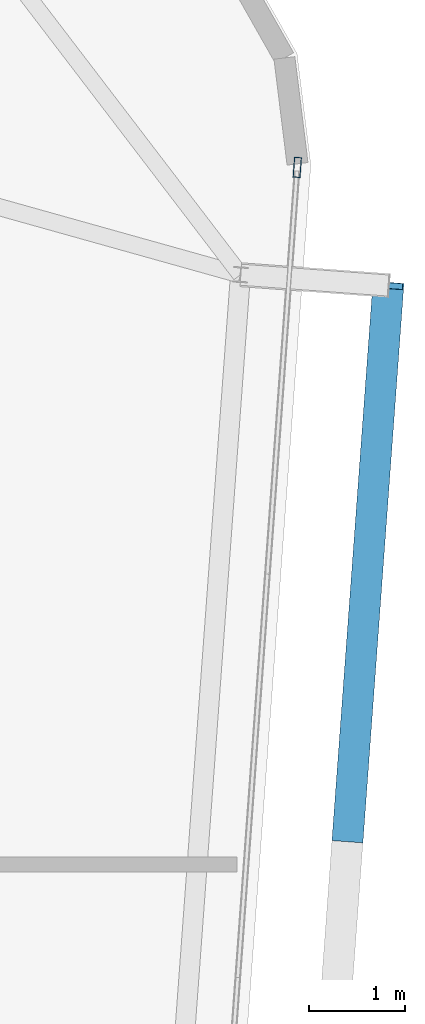
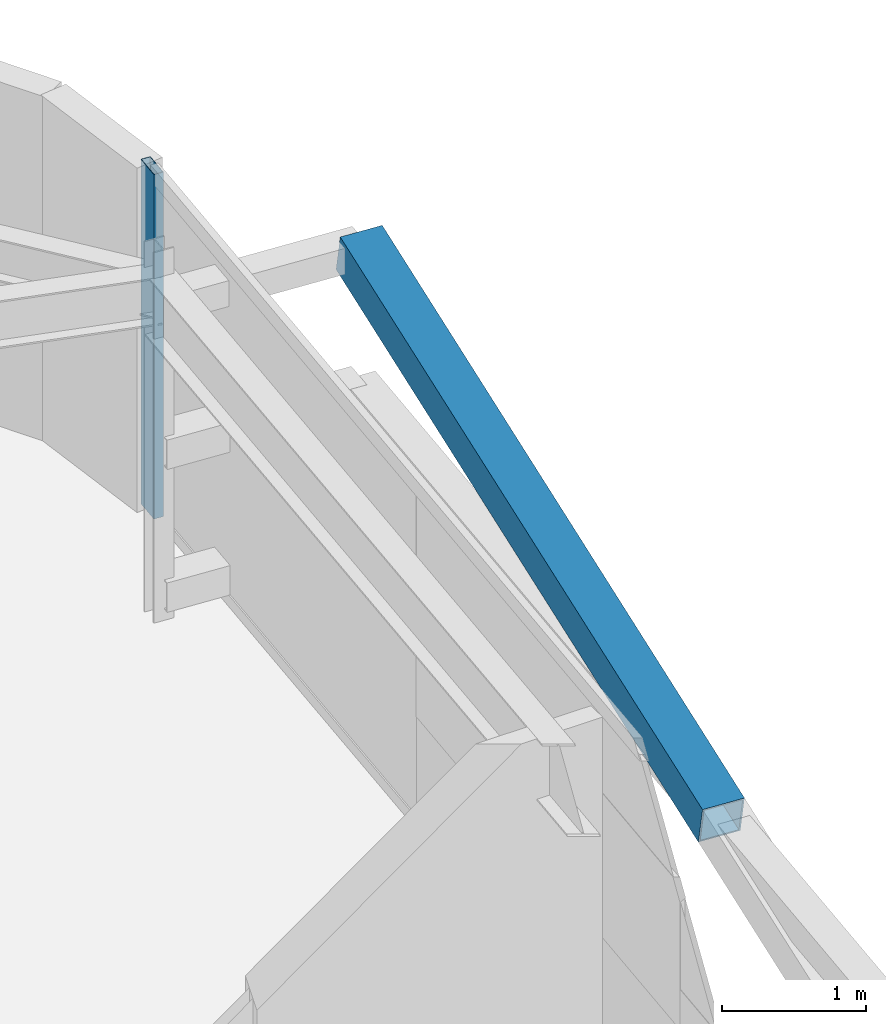
# One storey, part 19 of 34: 2 members, 1 element without a shape of its own.
"""IFC4 building model written with IfcOpenShell, lengths in metres."""

import ifcopenshell
import ifcopenshell.guid

model = None  # the IFC model being written
_history = None  # IfcOwnerHistory: only IFC2X3 demands one
_inside = {}  # id of a spatial element -> (the spatial element, [elements in it])
_under = {}  # id of a project, library or spatial element -> (it, [spatial elements below it])
_declared = {}  # id of a project -> (the project, [libraries it declares])
_typed = {}  # id of a type object -> (the type object, [elements of that type])
_made_of = {}  # id of a material, layer set ... -> (it, [elements and type objects made of it])


def new_model(schema):
    """Start an empty IFC model of exactly this schema.

    Asked for "IFC4X3", IfcOpenShell would pick the latest addendum, in which some entities
    have other attributes; the version numbers below select the first issue.
    IFC2X3 requires an IfcOwnerHistory on every rooted entity: one is made here for all.
    """
    global model, _history
    if schema == "IFC4X3":
        model = ifcopenshell.file(schema_version=(4, 3, 0, 0))
    else:
        model = ifcopenshell.file(schema=schema)
    _inside.clear()
    _under.clear()
    _declared.clear()
    _typed.clear()
    _made_of.clear()
    _history = None
    if model.schema == "IFC2X3":
        org = make("IfcOrganization", Name="unknown")
        user = make(
            "IfcPersonAndOrganization",
            ThePerson=make("IfcPerson", FamilyName="unknown"),
            TheOrganization=org,
        )
        app = make(
            "IfcApplication",
            ApplicationDeveloper=org,
            Version="unknown",
            ApplicationFullName="unknown",
            ApplicationIdentifier="unknown",
        )
        _history = make(
            "IfcOwnerHistory",
            OwningUser=user,
            OwningApplication=app,
            ChangeAction="ADDED",
            CreationDate=0,
        )
    return model


def make(cls, **values):
    """One entity of the class cls with the attributes given. An attribute that is None is left unset."""
    return model.create_entity(
        cls, **{name: value for name, value in values.items() if value is not None}
    )


def rooted(cls, **values):
    """An entity with a GlobalId (a new one), such as an element, a storey or a relation."""
    return make(cls, GlobalId=ifcopenshell.guid.new(), OwnerHistory=_history, **values)


def si_unit(unit_type, name, prefix=None):
    """IfcSIUnit, for example si_unit("LENGTHUNIT", "METRE", prefix="MILLI")."""
    return make("IfcSIUnit", UnitType=unit_type, Prefix=prefix, Name=name)


def assignment(units):
    """IfcUnitAssignment: the units of a project."""
    return None if units is None else make("IfcUnitAssignment", Units=units)


def point(xyz):
    """IfcCartesianPoint."""
    return None if xyz is None else make("IfcCartesianPoint", Coordinates=xyz)


def direction(xyz):
    """IfcDirection."""
    return None if xyz is None else make("IfcDirection", DirectionRatios=xyz)


def frame(location, z_axis=None, x_axis=None):
    """IfcAxis2Placement3D, a coordinate frame: its origin and axes. An axis left out is left unset."""
    return make(
        "IfcAxis2Placement3D",
        Location=point(location),
        Axis=direction(z_axis),
        RefDirection=direction(x_axis),
    )


def frame_2d(location, x_axis=None):
    """IfcAxis2Placement2D, a coordinate frame in the plane: its origin and x axis."""
    return make(
        "IfcAxis2Placement2D", Location=point(location), RefDirection=direction(x_axis)
    )


def origin():
    """The frame at (0, 0, 0) with its axes left unset."""
    return frame((0.0, 0.0, 0.0))


def origin_2d():
    """The frame at (0, 0) in the plane with its x axis left unset."""
    return frame_2d((0.0, 0.0))


def place(relative_to, where):
    """IfcLocalPlacement: puts the frame where relative to a parent placement (None: the world)."""
    return make(
        "IfcLocalPlacement", PlacementRelTo=relative_to, RelativePlacement=where
    )


def context(
    kind, dimensions, precision=None, world=None, true_north=None, identifier=None
):
    """IfcGeometricRepresentationContext, for example the 3D "Model" context."""
    return make(
        "IfcGeometricRepresentationContext",
        ContextIdentifier=identifier,
        ContextType=kind,
        CoordinateSpaceDimension=dimensions,
        Precision=precision,
        WorldCoordinateSystem=world,
        TrueNorth=true_north,
    )


def subcontext(parent, identifier, kind, view, scale=None):
    """IfcGeometricRepresentationSubContext, for example "Body" below "Model"."""
    return make(
        "IfcGeometricRepresentationSubContext",
        ContextIdentifier=identifier,
        ContextType=kind,
        ParentContext=parent,
        TargetScale=scale,
        TargetView=view,
    )


def project(units=None, contexts=None):
    """IfcProject with its units and contexts."""
    return rooted(
        "IfcProject",
        Name="project",
        RepresentationContexts=contexts,
        UnitsInContext=assignment(units),
    )


def spatial(cls, under=None, at=None, **own):
    """A site, building, storey or space (cls), placed at a placement, below another one or the project."""
    s = rooted(cls, ObjectPlacement=at, **own)
    if under is not None:
        _under.setdefault(under.id(), (under, []))[1].append(s)
    return s


def profile(cls, at=None, kind="AREA", **sizes):
    """A parametric profile (cls). Its sizes go by their IFC names, for example OverallWidth=200.0."""
    return make(cls, ProfileType=kind, Position=at, **sizes)


def hollow_rectangle(**sizes):
    """IfcRectangleHollowProfileDef."""
    return profile("IfcRectangleHollowProfileDef", **sizes)


def extrude(swept, where, along, depth):
    """IfcExtrudedAreaSolid: the profile swept, set in the frame where, extruded along a direction by depth."""
    return make(
        "IfcExtrudedAreaSolid",
        SweptArea=swept,
        Position=where,
        ExtrudedDirection=direction(along),
        Depth=depth,
    )


def shape(context_of_items, identifier, shape_type, items):
    """IfcShapeRepresentation: the items that make up one representation, for example the "Body"."""
    return make(
        "IfcShapeRepresentation",
        ContextOfItems=context_of_items,
        RepresentationIdentifier=identifier,
        RepresentationType=shape_type,
        Items=items,
    )


def source(mapping_origin, context_of_items, identifier, shape_type, items):
    """IfcRepresentationMap: a shape defined once, which mapped items show again and again."""
    return make(
        "IfcRepresentationMap",
        MappingOrigin=mapping_origin,
        MappedRepresentation=shape(context_of_items, identifier, shape_type, items),
    )


def transform(
    local_origin,
    x_axis=None,
    y_axis=None,
    z_axis=None,
    scale=None,
    scale2=None,
    scale3=None,
    uniform=True,
):
    """IfcCartesianTransformationOperator3D, or its non-uniform kind. x_axis, y_axis, z_axis: its Axis1, 2, 3."""
    if uniform:
        return make(
            "IfcCartesianTransformationOperator3D",
            Axis1=direction(x_axis),
            Axis2=direction(y_axis),
            LocalOrigin=point(local_origin),
            Scale=scale,
            Axis3=direction(z_axis),
        )
    return make(
        "IfcCartesianTransformationOperator3DnonUniform",
        Axis1=direction(x_axis),
        Axis2=direction(y_axis),
        LocalOrigin=point(local_origin),
        Scale=scale,
        Axis3=direction(z_axis),
        Scale2=scale2,
        Scale3=scale3,
    )


def mapped(mapping_source, mapping_target):
    """IfcMappedItem: shows the shape of a source again, moved by a transform."""
    return make(
        "IfcMappedItem", MappingSource=mapping_source, MappingTarget=mapping_target
    )


def material(Name=None, Category=None):
    """IfcMaterial."""
    return make("IfcMaterial", Name=Name, Category=Category)


def layer(
    of_material, thickness, ventilated=None, Name=None, Category=None, Priority=None
):
    """IfcMaterialLayer: one layer of a wall or slab, of a material (None: an air gap)."""
    return make(
        "IfcMaterialLayer",
        Material=of_material,
        LayerThickness=thickness,
        IsVentilated=ventilated,
        Name=Name,
        Category=Category,
        Priority=Priority,
    )


def layer_set(layers, Name=None):
    """IfcMaterialLayerSet."""
    return make("IfcMaterialLayerSet", MaterialLayers=layers, LayerSetName=Name)


def material_profile(
    of_material, cross_section, Name=None, Category=None, Priority=None
):
    """IfcMaterialProfile: a cross section and its material."""
    return make(
        "IfcMaterialProfile",
        Name=Name,
        Material=of_material,
        Profile=cross_section,
        Priority=Priority,
        Category=Category,
    )


def profile_set(profiles, Name=None, composite=None):
    """IfcMaterialProfileSet."""
    return make(
        "IfcMaterialProfileSet",
        Name=Name,
        MaterialProfiles=profiles,
        CompositeProfile=composite,
    )


def made_of(thing, what):
    """Note that an element or type object is made of a material, layer set ...; save() writes the relation."""
    if what is not None:
        _made_of.setdefault(what.id(), (what, []))[1].append(thing)
    return thing


def type_object(cls, material=None, **own):
    """A type object (cls), such as IfcWallType, which elements share."""
    return made_of(rooted(cls, **own), material)


def element(
    cls,
    number,
    at=None,
    inside=None,
    cuts=None,
    type_object=None,
    material=None,
    context=None,
    identifier="Body",
    shape_type=None,
    held_by="IfcProductDefinitionShape",
    body=None,
    shapes=None,
    **own,
):
    """One element of the class cls, such as IfcWall. Its Tag is "e" and its number.

    at: its placement. inside: the storey or other place that contains it. cuts: it is an
    opening in that element (IfcRelVoidsElement). A single representation is given by context,
    identifier, shape_type and body (its items); several are given by shapes. held_by: the class
    of the entity that holds the representations. save() writes the other relations.
    """
    e = rooted(cls, Tag="e%d" % number, ObjectPlacement=at, **own)
    if body is not None:
        shapes = [shape(context, identifier, shape_type, body)]
    if shapes is not None:
        e.Representation = make(held_by, Representations=shapes)
    if inside is not None:
        _inside.setdefault(inside.id(), (inside, []))[1].append(e)
    if cuts is not None:
        rooted(
            "IfcRelVoidsElement", RelatingBuildingElement=cuts, RelatedOpeningElement=e
        )
    if type_object is not None:
        _typed.setdefault(type_object.id(), (type_object, []))[1].append(e)
    return made_of(e, material)


def aggregate(whole, parts):
    """IfcRelAggregates: a whole, such as a stair, and the parts it consists of."""
    return rooted("IfcRelAggregates", RelatingObject=whole, RelatedObjects=parts)


def save(model, path):
    """Write the relations noted so far, then the file.

    IfcRelAggregates (storeys below a building ...), IfcRelContainedInSpatialStructure (elements
    in a storey), IfcRelDefinesByType, IfcRelAssociatesMaterial and IfcRelDeclares: one each for
    every whole, place, type object, material and project.
    """
    for whole, parts in _under.values():
        aggregate(whole, parts)
    for where, things in _inside.values():
        rooted(
            "IfcRelContainedInSpatialStructure",
            RelatedElements=things,
            RelatingStructure=where,
        )
    for kind, things in _typed.values():
        rooted("IfcRelDefinesByType", RelatedObjects=things, RelatingType=kind)
    for what, things in _made_of.values():
        rooted("IfcRelAssociatesMaterial", RelatedObjects=things, RelatingMaterial=what)
    for by, libraries in _declared.values():
        rooted("IfcRelDeclares", RelatingContext=by, RelatedDefinitions=libraries)
    model.write(path)


model = new_model("IFC4")

# Units and contexts
model_context = context("Model", 3, precision=1e-05, world=origin(), true_north=direction((0.0, 1.0)))
body_context = subcontext(model_context, "Body", "Model", "MODEL_VIEW")
ifc_project = project(units=[si_unit("LENGTHUNIT", "METRE"), si_unit("AREAUNIT", "SQUARE_METRE"), si_unit("VOLUMEUNIT", "CUBIC_METRE"), si_unit("PLANEANGLEUNIT", "RADIAN"), si_unit("MASSUNIT", "GRAM", prefix="KILO")], contexts=[model_context])

# Site, building, storey
site_placement = place(None, origin())
site = spatial("IfcSite", under=ifc_project, at=site_placement, CompositionType="ELEMENT")
building_placement = place(site_placement, origin())
building = spatial("IfcBuilding", under=site, at=building_placement, Name="Taldren Reach Tower", CompositionType="ELEMENT")
storey_placement = place(building_placement, frame((0.0, 0.0, 246.050048828125)))
storey = spatial("IfcBuildingStorey", under=building, at=storey_placement, Name="L75", CompositionType="ELEMENT", Elevation=246.050048828125)

# Member
ifc_material_1 = material(Name="Steel Gr 450 (C450L0)", Category="steel")
ifc_material_profile_1 = material_profile(ifc_material_1, hollow_rectangle(XDim=0.324951171875, YDim=0.324951171875, WallThickness=0.0126953125, at=origin_2d()), Name="325x325x12.7SHS")
ifc_profile_set_1 = profile_set([ifc_material_profile_1], Name="Steel Gr 450 (C450L0)")
member_type_1 = type_object("IfcMemberType", Name="MB-BR324", PredefinedType="BRACE", material=ifc_profile_set_1)
shared_shape_1 = source(origin(), body_context, "Body", "SweptSolid", [
    extrude(hollow_rectangle(XDim=0.324951171875, YDim=0.324951171875, WallThickness=0.0126953125, at=origin_2d()), origin(), (0.0, 0.0, 1.0), 5.92578125),
])
member_1_placement = place(storey_placement, frame((58.661865234375, 24.270751953125, 1.43505859375), z_axis=(0.071686540919, 0.976131732187, 0.205007027365), x_axis=(-0.997314185625, 0.073242167855, 0.0)))
element("IfcMember", 1, at=member_1_placement, inside=storey, type_object=member_type_1, Name="Exoskeleton Diagrid Brace B5-E2 L75", PredefinedType="BRACE", context=body_context, shape_type="MappedRepresentation", body=[
    mapped(shared_shape_1, transform((0.0, 0.0, 0.0), scale=1.0)),
])

# Curtain wall, member
ifc_material_2 = material(Name="Aluminium and Low-E Glass Unitised System", Category="aluminium")
ifc_layer = layer(ifc_material_2, 0.159912109375)
ifc_layer_set = layer_set([ifc_layer], Name="Aluminium and Low-E Glass Unitised System")
curtain_wall_type = type_object("IfcCurtainWallType", Name="CW-SYS-6", PredefinedType="NOTDEFINED", material=ifc_layer_set)
curtain_wall_placement = place(storey_placement, origin())
curtain_wall = element("IfcCurtainWall", 2, at=curtain_wall_placement, inside=storey, type_object=curtain_wall_type, Name="Unitised curtain wall CW-L75-E", PredefinedType="NOTDEFINED")
ifc_material_3 = material(Name="Anodised Aluminium 6063-T6", Category="aluminium")
ifc_material_profile_2 = material_profile(ifc_material_3, hollow_rectangle(XDim=0.074951171875, YDim=0.2099609375, WallThickness=0.00439453125, at=origin_2d()), Name="ALU-210x75x4.5RHS")
ifc_profile_set_2 = profile_set([ifc_material_profile_2], Name="Anodised Aluminium 6063-T6")
member_type_2 = type_object("IfcMemberType", Name="CW-MUL-200", PredefinedType="MULLION", material=ifc_profile_set_2)
shared_shape_2 = source(origin(), body_context, "Body", "SweptSolid", [
    extrude(hollow_rectangle(XDim=0.074951171875, YDim=0.2099609375, WallThickness=0.00439453125, at=origin_2d()), origin(), (0.0, 0.0, 1.0), 2.929931640625),
])
member_2_placement = place(storey_placement, frame((58.134765625, 31.29052734375, 0.0), z_axis=(0.0, 0.0, 1.0), x_axis=(-0.997314470951, 0.073238282558, 0.0)))
member_2 = element("IfcMember", 3, at=member_2_placement, type_object=member_type_2, Name="CW-6 mullion 3", PredefinedType="MULLION", context=body_context, shape_type="MappedRepresentation", body=[
    mapped(shared_shape_2, transform((0.0, 0.0, 0.0), scale=1.0)),
])
aggregate(curtain_wall, [member_2])

save(model, "model.ifc")
